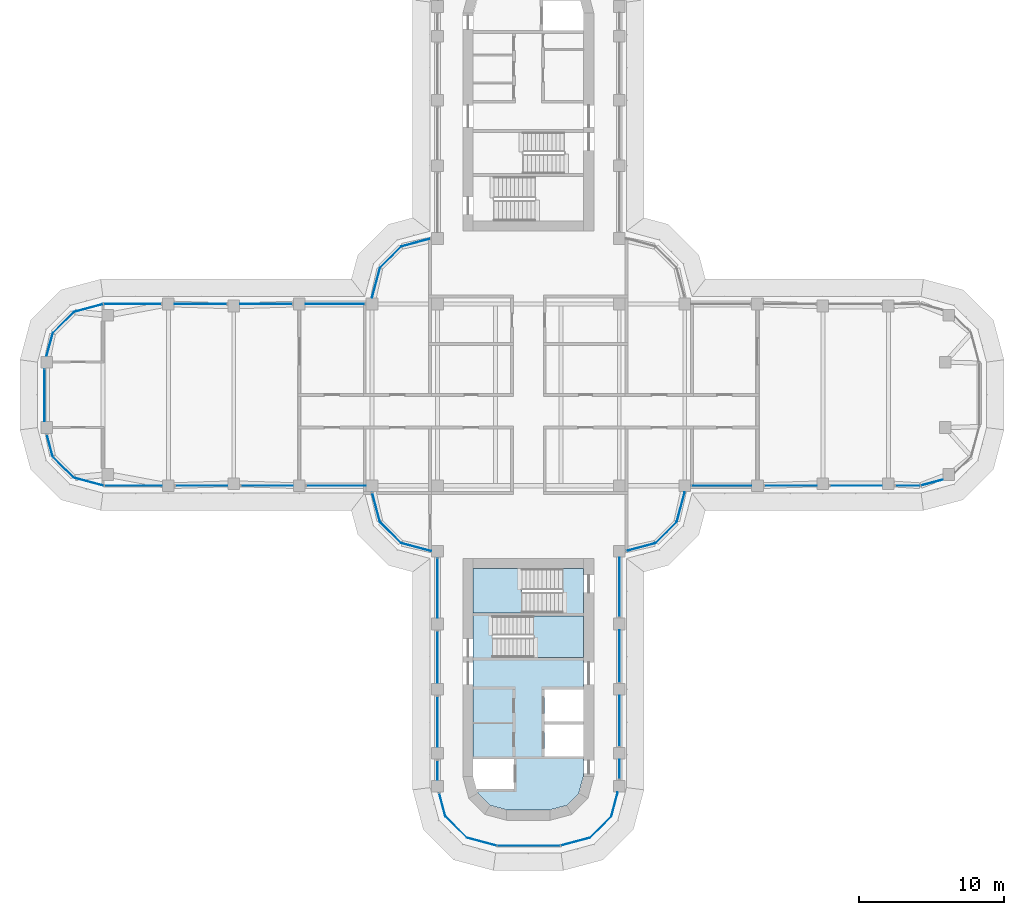
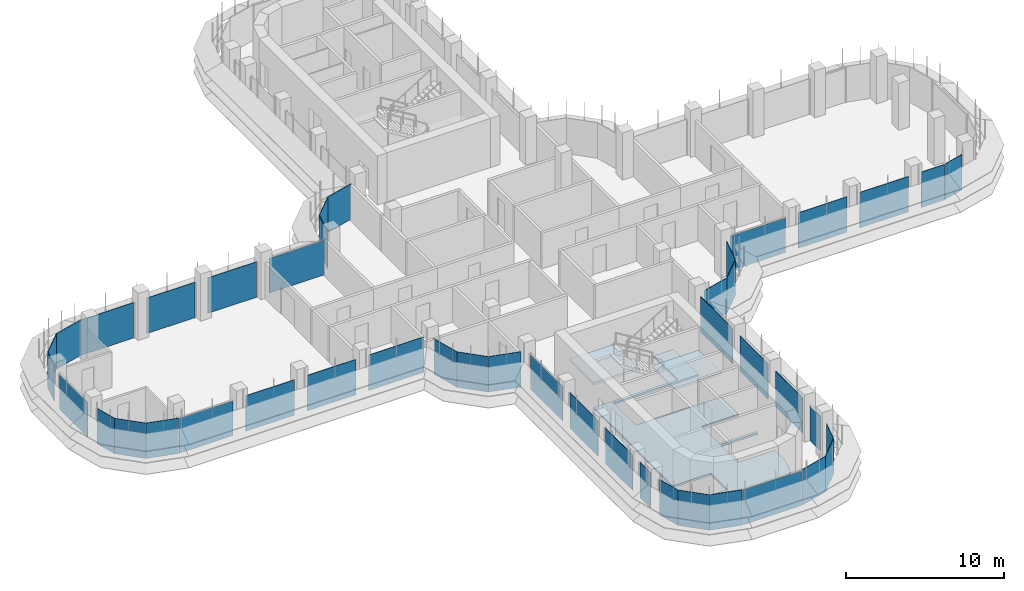
# One storey, part 11 of 20: 44 plates, 3 slabs, 31 elements without a shape of their own.
"""IFC4 building model written with IfcOpenShell, lengths in metres."""

from ifc_helpers import new_model, si_unit, direction, frame, origin, place, context, subcontext, project, spatial, polyline, outline, extrude, source, transform, mapped, material, layer, layer_set, type_object, element, aggregate, save


model = new_model("IFC4")

# Units and contexts
model_context = context("Model", 3, precision=1e-05, world=origin(), true_north=direction((0.0, 1.0)))
body_context = subcontext(model_context, "Body", "Model", "MODEL_VIEW")
ifc_project = project(units=[si_unit("LENGTHUNIT", "METRE"), si_unit("AREAUNIT", "SQUARE_METRE"), si_unit("VOLUMEUNIT", "CUBIC_METRE"), si_unit("PLANEANGLEUNIT", "RADIAN"), si_unit("MASSUNIT", "GRAM", prefix="KILO")], contexts=[model_context])

# Site, building, storey
site_placement = place(None, origin())
site = spatial("IfcSite", under=ifc_project, at=site_placement, CompositionType="ELEMENT")
building_placement = place(site_placement, origin())
building = spatial("IfcBuilding", under=site, at=building_placement, Name="Zarbagh Exchange Tower", CompositionType="ELEMENT")
storey_placement = place(building_placement, frame((0.0, 0.0, 163.800048828125)))
storey = spatial("IfcBuildingStorey", under=building, at=storey_placement, Name="L39", CompositionType="ELEMENT", Elevation=163.800048828125)

# Slab
ifc_material_1 = material(Name="Concrete C40/50", Category="concrete")
ifc_layer_1 = layer(ifc_material_1, 0.14990234375)
ifc_layer_set_1 = layer_set([ifc_layer_1], Name="Core floor slab 150 C40/50")
slab_type_1 = type_object("IfcSlabType", Name="Core floor slab 150 C40/50", PredefinedType="FLOOR", material=ifc_layer_set_1)
slab_1_placement = place(storey_placement, frame((0.0, 0.0, -0.150146484375)))
element("IfcSlab", 1, at=slab_1_placement, inside=storey, type_object=slab_type_1, Name="S17 core S", PredefinedType="FLOOR", context=body_context, shape_type="SweptSolid", body=[
    extrude(outline(polyline([(-2.6376953125, -28.220458984375), (-3.470458984375, -27.3876953125), (-3.800048828125, -26.15771484375), (-3.800048828125, -26.15771484375), (-3.547607421875, -27.10009765625), (-1.0, -27.10009765625), (-1.0, -25.050048828125), (-3.800048828125, -25.050048828125), (-3.800048828125, -15.0), (2.35009765625, -15.0), (2.35009765625, -11.949951171875), (3.800048828125, -11.949951171875), (3.800048828125, -15.199951171875), (-2.449951171875, -15.199951171875), (-2.449951171875, -18.050048828125), (3.800048828125, -18.050048828125), (3.800048828125, -20.25), (1.10009765625, -20.25), (1.10009765625, -22.449951171875), (3.800048828125, -22.449951171875), (3.800048828125, -22.64990234375), (1.10009765625, -22.64990234375), (1.10009765625, -24.85009765625), (3.800048828125, -24.85009765625), (3.800048828125, -26.15771484375), (3.470458984375, -27.3876953125), (2.6376953125, -28.220458984375), (1.40771484375, -28.550048828125), (-1.40771484375, -28.550048828125), (-2.6376953125, -28.220458984375)])), origin(), (0.0, 0.0, 1.0), 0.150146484375),
])

# Stair, slab
stair_type = type_object("IfcStairType", Name="Exit stair two-flight half-turn", PredefinedType="HALF_TURN_STAIR", material=ifc_material_1)
stair_1_placement = place(storey_placement, origin())
stair_1 = element("IfcStair", 2, at=stair_1_placement, inside=storey, type_object=stair_type, Name="exit stair ST3", PredefinedType="HALF_TURN_STAIR")
ifc_layer_2 = layer(ifc_material_1, 0.199951171875)
ifc_layer_set_2 = layer_set([ifc_layer_2], Name="Stair landing 200 mm")
slab_type_2 = type_object("IfcSlabType", Name="Stair landing 200 mm", PredefinedType="LANDING", material=ifc_layer_set_2)
slab_2_placement = place(storey_placement, frame((0.0, 0.0, 1.699951171875)))
slab_2 = element("IfcSlab", 3, at=slab_2_placement, type_object=slab_type_2, Name="ST3 landing 1", PredefinedType="LANDING", context=body_context, shape_type="SweptSolid", body=[
    extrude(outline(polyline([(0.35009765625, -18.050048828125), (3.800048828125, -18.050048828125), (3.800048828125, -15.199951171875), (0.35009765625, -15.199951171875), (0.35009765625, -18.050048828125)])), origin(), (0.0, 0.0, 1.0), 0.199951171875),
])
aggregate(stair_1, [slab_2])

stair_2_placement = place(storey_placement, origin())
stair_2 = element("IfcStair", 4, at=stair_2_placement, inside=storey, type_object=stair_type, Name="exit stair ST4", PredefinedType="HALF_TURN_STAIR")
slab_3_placement = place(storey_placement, frame((0.0, 0.0, 1.699951171875)))
slab_3 = element("IfcSlab", 5, at=slab_3_placement, type_object=slab_type_2, Name="ST4 landing 1", PredefinedType="LANDING", context=body_context, shape_type="SweptSolid", body=[
    extrude(outline(polyline([(-0.449951171875, -11.949951171875), (-3.800048828125, -11.949951171875), (-3.800048828125, -15.0), (-0.449951171875, -15.0), (-0.449951171875, -11.949951171875)])), origin(), (0.0, 0.0, 1.0), 0.199951171875),
])
aggregate(stair_2, [slab_3])

# Curtain wall, plate
ifc_material_2 = material(Name="Anodised aluminium frame and glazing", Category="aluminium")
curtain_wall_type = type_object("IfcCurtainWallType", Name="CWB Ribbon glazing, upper zones", PredefinedType="NOTDEFINED", material=ifc_material_2)
curtain_wall_1_placement = place(storey_placement, origin())
curtain_wall_1 = element("IfcCurtainWall", 6, at=curtain_wall_1_placement, inside=storey, type_object=curtain_wall_type, Name="CWB37 curtain wall", PredefinedType="NOTDEFINED")
ifc_material_3 = material(Name="Low-e double glazed unit, 6+12+6 mm")
ifc_layer_3 = layer(ifc_material_3, 0.031982421875)
ifc_layer_set_3 = layer_set([ifc_layer_3], Name="PAB Glazing panel, Low-e double glazed unit, 6+12+6 mm")
plate_type = type_object("IfcPlateType", Name="PAB Glazing panel, Low-e double glazed unit, 6+12+6 mm", PredefinedType="CURTAIN_PANEL", material=ifc_layer_set_3)
shared_shape_1 = source(origin(), body_context, "Body", "SweptSolid", [
    extrude(outline(polyline([(0.0, -0.01611328125), (1.5458984375, -0.01611328125), (1.5458984375, 0.01611328125), (0.0, 0.01611328125), (0.0, -0.01611328125)])), origin(), (0.0, 0.0, 1.0), 2.75),
])
placement = place(storey_placement, origin())
plate_1 = element("IfcPlate", 7, at=placement, type_object=plate_type, Name="CWB37 glazing panel 1.1", PredefinedType="CURTAIN_PANEL", context=body_context, shape_type="MappedRepresentation", body=[
    mapped(shared_shape_1, transform((-33.098876953125, -2.748046875, 0.0), x_axis=(0.258824779902, -0.965924289636, 0.0), y_axis=(0.965924289636, 0.258824779902, 0.0), z_axis=(0.0, 0.0, 1.0))),
])
aggregate(curtain_wall_1, [plate_1])

curtain_wall_2_placement = place(storey_placement, origin())
curtain_wall_2 = element("IfcCurtainWall", 8, at=curtain_wall_2_placement, inside=storey, type_object=curtain_wall_type, Name="CWB50 curtain wall", PredefinedType="NOTDEFINED")
shared_shape_2 = source(origin(), body_context, "Body", "SweptSolid", [
    extrude(outline(polyline([(0.0, -0.01611328125), (2.061279296875, -0.01611328125), (2.061279296875, 0.01611328125), (0.0, 0.01611328125), (0.0, -0.01611328125)])), origin(), (0.0, 0.0, 1.0), 2.75),
])
plate_2 = element("IfcPlate", 9, at=placement, type_object=plate_type, Name="CWB50 glazing panel 1.1", PredefinedType="CURTAIN_PANEL", context=body_context, shape_type="MappedRepresentation", body=[
    mapped(shared_shape_2, transform((4.2412109375, -30.44873046875, 0.0), x_axis=(0.707106781187, 0.707106781187, 0.0), y_axis=(-0.707106781187, 0.707106781187, 0.0), z_axis=(0.0, 0.0, 1.0))),
])
aggregate(curtain_wall_2, [plate_2])

curtain_wall_3_placement = place(storey_placement, origin())
curtain_wall_3 = element("IfcCurtainWall", 10, at=curtain_wall_3_placement, inside=storey, type_object=curtain_wall_type, Name="CWB06 curtain wall", PredefinedType="NOTDEFINED")
plate_3 = element("IfcPlate", 11, at=placement, type_object=plate_type, Name="CWB06 glazing panel 1.1", PredefinedType="CURTAIN_PANEL", context=body_context, shape_type="MappedRepresentation", body=[
    mapped(shared_shape_2, transform((8.7412109375, -10.19873046875, 0.0), x_axis=(0.707106781187, 0.707106781187, 0.0), y_axis=(-0.707106781187, 0.707106781187, 0.0), z_axis=(0.0, 0.0, 1.0))),
])
aggregate(curtain_wall_3, [plate_3])

curtain_wall_4_placement = place(storey_placement, origin())
curtain_wall_4 = element("IfcCurtainWall", 12, at=curtain_wall_4_placement, inside=storey, type_object=curtain_wall_type, Name="CWB30 curtain wall", PredefinedType="NOTDEFINED")
plate_4 = element("IfcPlate", 13, at=placement, type_object=plate_type, Name="CWB30 glazing panel 1.1", PredefinedType="CURTAIN_PANEL", context=body_context, shape_type="MappedRepresentation", body=[
    mapped(shared_shape_2, transform((-8.7412109375, 10.19873046875, 0.0), x_axis=(-0.707106781187, -0.707106781187, 0.0), y_axis=(0.707106781187, -0.707106781187, 0.0), z_axis=(0.0, 0.0, 1.0))),
])
aggregate(curtain_wall_4, [plate_4])

curtain_wall_5_placement = place(storey_placement, origin())
curtain_wall_5 = element("IfcCurtainWall", 14, at=curtain_wall_5_placement, inside=storey, type_object=curtain_wall_type, Name="CWB34 curtain wall", PredefinedType="NOTDEFINED")
plate_5 = element("IfcPlate", 15, at=placement, type_object=plate_type, Name="CWB34 glazing panel 1.1", PredefinedType="CURTAIN_PANEL", context=body_context, shape_type="MappedRepresentation", body=[
    mapped(shared_shape_2, transform((-31.2412109375, 5.69873046875, 0.0), x_axis=(-0.707106781187, -0.707106781187, 0.0), y_axis=(0.707106781187, -0.707106781187, 0.0), z_axis=(0.0, 0.0, 1.0))),
])
aggregate(curtain_wall_5, [plate_5])

curtain_wall_6_placement = place(storey_placement, origin())
curtain_wall_6 = element("IfcCurtainWall", 16, at=curtain_wall_6_placement, inside=storey, type_object=curtain_wall_type, Name="CWB38 curtain wall", PredefinedType="NOTDEFINED")
plate_6 = element("IfcPlate", 17, at=placement, type_object=plate_type, Name="CWB38 glazing panel 1.1", PredefinedType="CURTAIN_PANEL", context=body_context, shape_type="MappedRepresentation", body=[
    mapped(shared_shape_2, transform((-32.69873046875, -4.2412109375, 0.0), x_axis=(0.707106781187, -0.707106781187, 0.0), y_axis=(0.707106781187, 0.707106781187, 0.0), z_axis=(0.0, 0.0, 1.0))),
])
aggregate(curtain_wall_6, [plate_6])

curtain_wall_7_placement = place(storey_placement, origin())
curtain_wall_7 = element("IfcCurtainWall", 18, at=curtain_wall_7_placement, inside=storey, type_object=curtain_wall_type, Name="CWB42 curtain wall", PredefinedType="NOTDEFINED")
plate_7 = element("IfcPlate", 19, at=placement, type_object=plate_type, Name="CWB42 glazing panel 1.1", PredefinedType="CURTAIN_PANEL", context=body_context, shape_type="MappedRepresentation", body=[
    mapped(shared_shape_2, transform((-10.19873046875, -8.7412109375, 0.0), x_axis=(0.707106781187, -0.707106781187, 0.0), y_axis=(0.707106781187, 0.707106781187, 0.0), z_axis=(0.0, 0.0, 1.0))),
])
aggregate(curtain_wall_7, [plate_7])

curtain_wall_8_placement = place(storey_placement, origin())
curtain_wall_8 = element("IfcCurtainWall", 20, at=curtain_wall_8_placement, inside=storey, type_object=curtain_wall_type, Name="CWB55 curtain wall", PredefinedType="NOTDEFINED")
plate_8 = element("IfcPlate", 21, at=placement, type_object=plate_type, Name="CWB55 glazing panel 1.1", PredefinedType="CURTAIN_PANEL", context=body_context, shape_type="MappedRepresentation", body=[
    mapped(shared_shape_2, transform((-5.69873046875, -28.9912109375, 0.0), x_axis=(0.707106781187, -0.707106781187, 0.0), y_axis=(0.707106781187, 0.707106781187, 0.0), z_axis=(0.0, 0.0, 1.0))),
])
aggregate(curtain_wall_8, [plate_8])

curtain_wall_9_placement = place(storey_placement, origin())
curtain_wall_9 = element("IfcCurtainWall", 22, at=curtain_wall_9_placement, inside=storey, type_object=curtain_wall_type, Name="CWB39 curtain wall", PredefinedType="NOTDEFINED")
shared_shape_3 = source(origin(), body_context, "Body", "SweptSolid", [
    extrude(outline(polyline([(0.0, -0.01611328125), (2.129638671875, -0.01611328125), (2.129638671875, 0.01611328125), (0.0, 0.01611328125), (0.0, -0.01611328125)])), origin(), (0.0, 0.0, 1.0), 2.75),
])
plate_9 = element("IfcPlate", 23, at=placement, type_object=plate_type, Name="CWB39 glazing panel 1.1", PredefinedType="CURTAIN_PANEL", context=body_context, shape_type="MappedRepresentation", body=[
    mapped(shared_shape_3, transform((-31.2412109375, -5.69873046875, 0.0), x_axis=(0.965924289636, -0.258824779902, 0.0), y_axis=(0.258824779902, 0.965924289636, 0.0), z_axis=(0.0, 0.0, 1.0))),
])
aggregate(curtain_wall_9, [plate_9])

curtain_wall_10_placement = place(storey_placement, origin())
curtain_wall_10 = element("IfcCurtainWall", 24, at=curtain_wall_10_placement, inside=storey, type_object=curtain_wall_type, Name="CWB56 curtain wall", PredefinedType="NOTDEFINED")
plate_10 = element("IfcPlate", 25, at=placement, type_object=plate_type, Name="CWB56 glazing panel 1.1", PredefinedType="CURTAIN_PANEL", context=body_context, shape_type="MappedRepresentation", body=[
    mapped(shared_shape_3, transform((-4.2412109375, -30.44873046875, 0.0), x_axis=(0.965924289636, -0.258824779902, 0.0), y_axis=(0.258824779902, 0.965924289636, 0.0), z_axis=(0.0, 0.0, 1.0))),
])
aggregate(curtain_wall_10, [plate_10])

curtain_wall_11_placement = place(storey_placement, origin())
curtain_wall_11 = element("IfcCurtainWall", 26, at=curtain_wall_11_placement, inside=storey, type_object=curtain_wall_type, Name="CWB53 curtain wall", PredefinedType="NOTDEFINED")
shared_shape_4 = source(origin(), body_context, "Body", "SweptSolid", [
    extrude(outline(polyline([(0.0, -0.01611328125), (1.31005859375, -0.01611328125), (1.31005859375, 0.01611328125), (0.0, 0.01611328125), (0.0, -0.01611328125)])), origin(), (0.0, 0.0, 1.0), 2.75),
])
plate_11 = element("IfcPlate", 27, at=placement, type_object=plate_type, Name="CWB53 glazing panel 4.1", PredefinedType="CURTAIN_PANEL", context=body_context, shape_type="MappedRepresentation", body=[
    mapped(shared_shape_4, transform((-6.25, -25.150146484375, 0.0), x_axis=(0.0, -1.0, 0.0), y_axis=(1.0, 0.0, 0.0), z_axis=(0.0, 0.0, 1.0))),
])

curtain_wall_12_placement = place(storey_placement, origin())
curtain_wall_12 = element("IfcCurtainWall", 28, at=curtain_wall_12_placement, inside=storey, type_object=curtain_wall_type, Name="CWB52 curtain wall", PredefinedType="NOTDEFINED")
shared_shape_5 = source(origin(), body_context, "Body", "SweptSolid", [
    extrude(outline(polyline([(0.0, -0.01611328125), (3.4599609375, -0.01611328125), (3.4599609375, 0.01611328125), (0.0, 0.01611328125), (0.0, -0.01611328125)])), origin(), (0.0, 0.0, 1.0), 2.75),
])
plate_12 = element("IfcPlate", 29, at=placement, type_object=plate_type, Name="CWB52 glazing panel 2.1", PredefinedType="CURTAIN_PANEL", context=body_context, shape_type="MappedRepresentation", body=[
    mapped(shared_shape_5, transform((6.25, -24.14990234375, 0.0), x_axis=(0.0, 1.0, 0.0), y_axis=(-1.0, 0.0, 0.0), z_axis=(0.0, 0.0, 1.0))),
])

# Plate
plate_13 = element("IfcPlate", 30, at=placement, type_object=plate_type, Name="CWB53 glazing panel 3.1", PredefinedType="CURTAIN_PANEL", context=body_context, shape_type="MappedRepresentation", body=[
    mapped(shared_shape_5, transform((-6.25, -20.75, 0.0), x_axis=(0.0, -1.0, 0.0), y_axis=(1.0, 0.0, 0.0), z_axis=(0.0, 0.0, 1.0))),
])

shared_shape_6 = source(origin(), body_context, "Body", "SweptSolid", [
    extrude(outline(polyline([(0.0, -0.01611328125), (3.56005859375, -0.01611328125), (3.56005859375, 0.01611328125), (0.0, 0.01611328125), (0.0, -0.01611328125)])), origin(), (0.0, 0.0, 1.0), 2.75),
])
plate_14 = element("IfcPlate", 31, at=placement, type_object=plate_type, Name="CWB52 glazing panel 3.1", PredefinedType="CURTAIN_PANEL", context=body_context, shape_type="MappedRepresentation", body=[
    mapped(shared_shape_6, transform((6.25, -19.75, 0.0), x_axis=(0.0, 1.0, 0.0), y_axis=(-1.0, 0.0, 0.0), z_axis=(0.0, 0.0, 1.0))),
])

# Curtain wall, plates
curtain_wall_13_placement = place(storey_placement, origin())
curtain_wall_13 = element("IfcCurtainWall", 32, at=curtain_wall_13_placement, inside=storey, type_object=curtain_wall_type, Name="CWB08 curtain wall", PredefinedType="NOTDEFINED")
plate_15 = element("IfcPlate", 33, at=placement, type_object=plate_type, Name="CWB08 glazing panel 2.1", PredefinedType="CURTAIN_PANEL", context=body_context, shape_type="MappedRepresentation", body=[
    mapped(shared_shape_6, transform((16.25, -6.25, 0.0), x_axis=(1.0, 0.0, 0.0), y_axis=(0.0, 1.0, 0.0), z_axis=(0.0, 0.0, 1.0))),
])
plate_16 = element("IfcPlate", 34, at=placement, type_object=plate_type, Name="CWB08 glazing panel 3.1", PredefinedType="CURTAIN_PANEL", context=body_context, shape_type="MappedRepresentation", body=[
    mapped(shared_shape_6, transform((20.75, -6.25, 0.0), x_axis=(1.0, 0.0, 0.0), y_axis=(0.0, 1.0, 0.0), z_axis=(0.0, 0.0, 1.0))),
])

curtain_wall_14_placement = place(storey_placement, origin())
curtain_wall_14 = element("IfcCurtainWall", 35, at=curtain_wall_14_placement, inside=storey, type_object=curtain_wall_type, Name="CWB32 curtain wall", PredefinedType="NOTDEFINED")
plate_17 = element("IfcPlate", 36, at=placement, type_object=plate_type, Name="CWB32 glazing panel 2.1", PredefinedType="CURTAIN_PANEL", context=body_context, shape_type="MappedRepresentation", body=[
    mapped(shared_shape_6, transform((-16.25, 6.25, 0.0), x_axis=(-1.0, 0.0, 0.0), y_axis=(0.0, -1.0, 0.0), z_axis=(0.0, 0.0, 1.0))),
])
plate_18 = element("IfcPlate", 37, at=placement, type_object=plate_type, Name="CWB32 glazing panel 3.1", PredefinedType="CURTAIN_PANEL", context=body_context, shape_type="MappedRepresentation", body=[
    mapped(shared_shape_6, transform((-20.75, 6.25, 0.0), x_axis=(-1.0, 0.0, 0.0), y_axis=(0.0, -1.0, 0.0), z_axis=(0.0, 0.0, 1.0))),
])

curtain_wall_15_placement = place(storey_placement, origin())
curtain_wall_15 = element("IfcCurtainWall", 38, at=curtain_wall_15_placement, inside=storey, type_object=curtain_wall_type, Name="CWB40 curtain wall", PredefinedType="NOTDEFINED")
plate_19 = element("IfcPlate", 39, at=placement, type_object=plate_type, Name="CWB40 glazing panel 2.1", PredefinedType="CURTAIN_PANEL", context=body_context, shape_type="MappedRepresentation", body=[
    mapped(shared_shape_6, transform((-24.25, -6.25, 0.0), x_axis=(1.0, 0.0, 0.0), y_axis=(0.0, 1.0, 0.0), z_axis=(0.0, 0.0, 1.0))),
])
plate_20 = element("IfcPlate", 40, at=placement, type_object=plate_type, Name="CWB40 glazing panel 3.1", PredefinedType="CURTAIN_PANEL", context=body_context, shape_type="MappedRepresentation", body=[
    mapped(shared_shape_6, transform((-19.75, -6.25, 0.0), x_axis=(1.0, 0.0, 0.0), y_axis=(0.0, 1.0, 0.0), z_axis=(0.0, 0.0, 1.0))),
])

# Plate
plate_21 = element("IfcPlate", 41, at=placement, type_object=plate_type, Name="CWB53 glazing panel 2.1", PredefinedType="CURTAIN_PANEL", context=body_context, shape_type="MappedRepresentation", body=[
    mapped(shared_shape_6, transform((-6.25, -16.25, 0.0), x_axis=(0.0, -1.0, 0.0), y_axis=(1.0, 0.0, 0.0), z_axis=(0.0, 0.0, 1.0))),
])

shared_shape_7 = source(origin(), body_context, "Body", "SweptSolid", [
    extrude(outline(polyline([(0.0, -0.01611328125), (4.06005859375, -0.01611328125), (4.06005859375, 0.01611328125), (0.0, 0.01611328125), (0.0, -0.01611328125)])), origin(), (0.0, 0.0, 1.0), 2.75),
])
plate_22 = element("IfcPlate", 42, at=placement, type_object=plate_type, Name="CWB52 glazing panel 4.1", PredefinedType="CURTAIN_PANEL", context=body_context, shape_type="MappedRepresentation", body=[
    mapped(shared_shape_7, transform((6.25, -15.25, 0.0), x_axis=(0.0, 1.0, 0.0), y_axis=(-1.0, 0.0, 0.0), z_axis=(0.0, 0.0, 1.0))),
])

plate_23 = element("IfcPlate", 43, at=placement, type_object=plate_type, Name="CWB40 glazing panel 4.1", PredefinedType="CURTAIN_PANEL", context=body_context, shape_type="MappedRepresentation", body=[
    mapped(shared_shape_7, transform((-15.25, -6.25, 0.0), x_axis=(1.0, 0.0, 0.0), y_axis=(0.0, 1.0, 0.0), z_axis=(0.0, 0.0, 1.0))),
])

# Curtain wall, plate
curtain_wall_16_placement = place(storey_placement, origin())
curtain_wall_16 = element("IfcCurtainWall", 44, at=curtain_wall_16_placement, inside=storey, type_object=curtain_wall_type, Name="CWB05 curtain wall", PredefinedType="NOTDEFINED")
shared_shape_8 = source(origin(), body_context, "Body", "SweptSolid", [
    extrude(outline(polyline([(0.0, -0.01611328125), (2.063720703125, -0.01611328125), (2.063720703125, 0.01611328125), (0.0, 0.01611328125), (0.0, -0.01611328125)])), origin(), (0.0, 0.0, 1.0), 2.75),
])
plate_24 = element("IfcPlate", 45, at=placement, type_object=plate_type, Name="CWB05 glazing panel 1.1", PredefinedType="CURTAIN_PANEL", context=body_context, shape_type="MappedRepresentation", body=[
    mapped(shared_shape_8, transform((6.748046875, -10.73291015625, 0.0), x_axis=(0.965924289636, 0.258824779902, 0.0), y_axis=(-0.258824779902, 0.965924289636, 0.0), z_axis=(0.0, 0.0, 1.0))),
])
aggregate(curtain_wall_16, [plate_24])

curtain_wall_17_placement = place(storey_placement, origin())
curtain_wall_17 = element("IfcCurtainWall", 46, at=curtain_wall_17_placement, inside=storey, type_object=curtain_wall_type, Name="CWB29 curtain wall", PredefinedType="NOTDEFINED")
plate_25 = element("IfcPlate", 47, at=placement, type_object=plate_type, Name="CWB29 glazing panel 1.1", PredefinedType="CURTAIN_PANEL", context=body_context, shape_type="MappedRepresentation", body=[
    mapped(shared_shape_8, transform((-6.748046875, 10.73291015625, 0.0), x_axis=(-0.965924289636, -0.258824779902, 0.0), y_axis=(0.258824779902, -0.965924289636, 0.0), z_axis=(0.0, 0.0, 1.0))),
])
aggregate(curtain_wall_17, [plate_25])

curtain_wall_18_placement = place(storey_placement, origin())
curtain_wall_18 = element("IfcCurtainWall", 48, at=curtain_wall_18_placement, inside=storey, type_object=curtain_wall_type, Name="CWB41 curtain wall", PredefinedType="NOTDEFINED")
plate_26 = element("IfcPlate", 49, at=placement, type_object=plate_type, Name="CWB41 glazing panel 1.1", PredefinedType="CURTAIN_PANEL", context=body_context, shape_type="MappedRepresentation", body=[
    mapped(shared_shape_8, transform((-10.73291015625, -6.748046875, 0.0), x_axis=(0.258824779902, -0.965924289636, 0.0), y_axis=(0.965924289636, 0.258824779902, 0.0), z_axis=(0.0, 0.0, 1.0))),
])
aggregate(curtain_wall_18, [plate_26])

curtain_wall_19_placement = place(storey_placement, origin())
curtain_wall_19 = element("IfcCurtainWall", 50, at=curtain_wall_19_placement, inside=storey, type_object=curtain_wall_type, Name="CWB07 curtain wall", PredefinedType="NOTDEFINED")
shared_shape_9 = source(origin(), body_context, "Body", "SweptSolid", [
    extrude(outline(polyline([(0.0, -0.01611328125), (2.12353515625, -0.01611328125), (2.12353515625, 0.01611328125), (0.0, 0.01611328125), (0.0, -0.01611328125)])), origin(), (0.0, 0.0, 1.0), 2.75),
])
plate_27 = element("IfcPlate", 51, at=placement, type_object=plate_type, Name="CWB07 glazing panel 1.1", PredefinedType="CURTAIN_PANEL", context=body_context, shape_type="MappedRepresentation", body=[
    mapped(shared_shape_9, transform((10.19873046875, -8.7412109375, 0.0), x_axis=(0.258824779902, 0.965924289636, 0.0), y_axis=(-0.965924289636, 0.258824779902, 0.0), z_axis=(0.0, 0.0, 1.0))),
])
aggregate(curtain_wall_19, [plate_27])

curtain_wall_20_placement = place(storey_placement, origin())
curtain_wall_20 = element("IfcCurtainWall", 52, at=curtain_wall_20_placement, inside=storey, type_object=curtain_wall_type, Name="CWB31 curtain wall", PredefinedType="NOTDEFINED")
plate_28 = element("IfcPlate", 53, at=placement, type_object=plate_type, Name="CWB31 glazing panel 1.1", PredefinedType="CURTAIN_PANEL", context=body_context, shape_type="MappedRepresentation", body=[
    mapped(shared_shape_9, transform((-10.19873046875, 8.7412109375, 0.0), x_axis=(-0.258824779902, -0.965924289636, 0.0), y_axis=(0.965924289636, -0.258824779902, 0.0), z_axis=(0.0, 0.0, 1.0))),
])
aggregate(curtain_wall_20, [plate_28])

curtain_wall_21_placement = place(storey_placement, origin())
curtain_wall_21 = element("IfcCurtainWall", 54, at=curtain_wall_21_placement, inside=storey, type_object=curtain_wall_type, Name="CWB43 curtain wall", PredefinedType="NOTDEFINED")
plate_29 = element("IfcPlate", 55, at=placement, type_object=plate_type, Name="CWB43 glazing panel 1.1", PredefinedType="CURTAIN_PANEL", context=body_context, shape_type="MappedRepresentation", body=[
    mapped(shared_shape_9, transform((-8.7412109375, -10.19873046875, 0.0), x_axis=(0.965924289636, -0.258824779902, 0.0), y_axis=(0.258824779902, 0.965924289636, 0.0), z_axis=(0.0, 0.0, 1.0))),
])
aggregate(curtain_wall_21, [plate_29])

# Plate
shared_shape_10 = source(origin(), body_context, "Body", "SweptSolid", [
    extrude(outline(polyline([(0.0, -0.01611328125), (4.06005859375, -0.01611328125), (4.06005859375, 0.01611328125), (0.0, 0.01611328125), (0.0, -0.01611328125)])), origin(), (0.0, 0.0, 1.0), 2.68994140625),
])
plate_30 = element("IfcPlate", 56, at=placement, type_object=plate_type, Name="CWB08 glazing panel 1.1", PredefinedType="CURTAIN_PANEL", context=body_context, shape_type="MappedRepresentation", body=[
    mapped(shared_shape_10, transform((11.25, -6.25, 0.0), x_axis=(1.0, 0.0, 0.0), y_axis=(0.0, 1.0, 0.0), z_axis=(0.0, 0.0, 1.0))),
])

plate_31 = element("IfcPlate", 57, at=placement, type_object=plate_type, Name="CWB32 glazing panel 1.1", PredefinedType="CURTAIN_PANEL", context=body_context, shape_type="MappedRepresentation", body=[
    mapped(shared_shape_10, transform((-11.25, 6.25, 0.0), x_axis=(-1.0, 0.0, 0.0), y_axis=(0.0, -1.0, 0.0), z_axis=(0.0, 0.0, 1.0))),
])

plate_32 = element("IfcPlate", 58, at=placement, type_object=plate_type, Name="CWB53 glazing panel 1.1", PredefinedType="CURTAIN_PANEL", context=body_context, shape_type="MappedRepresentation", body=[
    mapped(shared_shape_10, transform((-6.25, -11.25, 0.0), x_axis=(0.0, -1.0, 0.0), y_axis=(1.0, 0.0, 0.0), z_axis=(0.0, 0.0, 1.0))),
])

aggregate(curtain_wall_11, [plate_32, plate_21, plate_13, plate_11])

shared_shape_11 = source(origin(), body_context, "Body", "SweptSolid", [
    extrude(outline(polyline([(0.0, -0.01611328125), (1.68408203125, -0.01611328125), (1.68408203125, 0.01611328125), (0.0, 0.01611328125), (0.0, -0.01611328125)])), origin(), (0.0, 0.0, 1.0), 2.75),
])
plate_33 = element("IfcPlate", 59, at=placement, type_object=plate_type, Name="CWB08 glazing panel 4.1", PredefinedType="CURTAIN_PANEL", context=body_context, shape_type="MappedRepresentation", body=[
    mapped(shared_shape_11, transform((25.25, -6.25, 0.0), x_axis=(1.0, 0.0, 0.0), y_axis=(0.0, 1.0, 0.0), z_axis=(0.0, 0.0, 1.0))),
])

aggregate(curtain_wall_13, [plate_30, plate_15, plate_16, plate_33])

# Curtain wall, plate
curtain_wall_22_placement = place(storey_placement, origin())
curtain_wall_22 = element("IfcCurtainWall", 60, at=curtain_wall_22_placement, inside=storey, type_object=curtain_wall_type, Name="CWB09 curtain wall", PredefinedType="NOTDEFINED")
shared_shape_12 = source(origin(), body_context, "Body", "SweptSolid", [
    extrude(outline(polyline([(0.0, -0.01611328125), (1.52783203125, -0.01611328125), (1.52783203125, 0.01611328125), (0.0, 0.01611328125), (0.0, -0.01611328125)])), origin(), (0.0, 0.0, 1.0), 2.75),
])
plate_34 = element("IfcPlate", 61, at=placement, type_object=plate_type, Name="CWB09 glazing panel 1.1", PredefinedType="CURTAIN_PANEL", context=body_context, shape_type="MappedRepresentation", body=[
    mapped(shared_shape_12, transform((26.9921875, -6.234375, 0.0), x_axis=(0.965924289636, 0.258824779902, 0.0), y_axis=(-0.258824779902, 0.965924289636, 0.0), z_axis=(0.0, 0.0, 1.0))),
])
aggregate(curtain_wall_22, [plate_34])

curtain_wall_23_placement = place(storey_placement, origin())
curtain_wall_23 = element("IfcCurtainWall", 62, at=curtain_wall_23_placement, inside=storey, type_object=curtain_wall_type, Name="CWB57 curtain wall", PredefinedType="NOTDEFINED")
shared_shape_13 = source(origin(), body_context, "Body", "SweptSolid", [
    extrude(outline(polyline([(0.0, -0.01611328125), (4.308349609375, -0.01611328125), (4.308349609375, 0.01611328125), (0.0, 0.01611328125), (0.0, -0.01611328125)])), origin(), (0.0, 0.0, 1.0), 2.68994140625),
])
plate_35 = element("IfcPlate", 63, at=placement, type_object=plate_type, Name="CWB57 glazing panel 1.1", PredefinedType="CURTAIN_PANEL", context=body_context, shape_type="MappedRepresentation", body=[
    mapped(shared_shape_13, transform((-2.124267578125, -31.0, 0.0), x_axis=(1.0, 0.0, 0.0), y_axis=(0.0, 1.0, 0.0), z_axis=(0.0, 0.0, 1.0))),
])
aggregate(curtain_wall_23, [plate_35])

curtain_wall_24_placement = place(storey_placement, origin())
curtain_wall_24 = element("IfcCurtainWall", 64, at=curtain_wall_24_placement, inside=storey, type_object=curtain_wall_type, Name="CWB49 curtain wall", PredefinedType="NOTDEFINED")
shared_shape_14 = source(origin(), body_context, "Body", "SweptSolid", [
    extrude(outline(polyline([(0.0, -0.01611328125), (2.069580078125, -0.01611328125), (2.069580078125, 0.01611328125), (0.0, 0.01611328125), (0.0, -0.01611328125)])), origin(), (0.0, 0.0, 1.0), 2.75),
])
plate_36 = element("IfcPlate", 65, at=placement, type_object=plate_type, Name="CWB49 glazing panel 1.1", PredefinedType="CURTAIN_PANEL", context=body_context, shape_type="MappedRepresentation", body=[
    mapped(shared_shape_14, transform((2.2421875, -30.984375, 0.0), x_axis=(0.965924289636, 0.258824779902, 0.0), y_axis=(-0.258824779902, 0.965924289636, 0.0), z_axis=(0.0, 0.0, 1.0))),
])
aggregate(curtain_wall_24, [plate_36])

curtain_wall_25_placement = place(storey_placement, origin())
curtain_wall_25 = element("IfcCurtainWall", 66, at=curtain_wall_25_placement, inside=storey, type_object=curtain_wall_type, Name="CWB33 curtain wall", PredefinedType="NOTDEFINED")
plate_37 = element("IfcPlate", 67, at=placement, type_object=plate_type, Name="CWB33 glazing panel 1.1", PredefinedType="CURTAIN_PANEL", context=body_context, shape_type="MappedRepresentation", body=[
    mapped(shared_shape_14, transform((-29.2421875, 6.234375, 0.0), x_axis=(-0.965924289636, -0.258824779902, 0.0), y_axis=(0.258824779902, -0.965924289636, 0.0), z_axis=(0.0, 0.0, 1.0))),
])
aggregate(curtain_wall_25, [plate_37])

# Plate
shared_shape_15 = source(origin(), body_context, "Body", "SweptSolid", [
    extrude(outline(polyline([(0.0, -0.01611328125), (3.93408203125, -0.01611328125), (3.93408203125, 0.01611328125), (0.0, 0.01611328125), (0.0, -0.01611328125)])), origin(), (0.0, 0.0, 1.0), 2.75),
])
plate_38 = element("IfcPlate", 68, at=placement, type_object=plate_type, Name="CWB32 glazing panel 4.1", PredefinedType="CURTAIN_PANEL", context=body_context, shape_type="MappedRepresentation", body=[
    mapped(shared_shape_15, transform((-25.25, 6.25, 0.0), x_axis=(-1.0, 0.0, 0.0), y_axis=(0.0, -1.0, 0.0), z_axis=(0.0, 0.0, 1.0))),
])

aggregate(curtain_wall_14, [plate_31, plate_17, plate_18, plate_38])

# Curtain wall, plate
curtain_wall_26_placement = place(storey_placement, origin())
curtain_wall_26 = element("IfcCurtainWall", 69, at=curtain_wall_26_placement, inside=storey, type_object=curtain_wall_type, Name="CWB35 curtain wall", PredefinedType="NOTDEFINED")
shared_shape_16 = source(origin(), body_context, "Body", "SweptSolid", [
    extrude(outline(polyline([(0.0, -0.01611328125), (1.60595703125, -0.01611328125), (1.60595703125, 0.01611328125), (0.0, 0.01611328125), (0.0, -0.01611328125)])), origin(), (0.0, 0.0, 1.0), 2.75),
])
plate_39 = element("IfcPlate", 70, at=placement, type_object=plate_type, Name="CWB35 glazing panel 1.1", PredefinedType="CURTAIN_PANEL", context=body_context, shape_type="MappedRepresentation", body=[
    mapped(shared_shape_16, transform((-32.69873046875, 4.2412109375, 0.0), x_axis=(-0.258824779902, -0.965924289636, 0.0), y_axis=(0.965924289636, -0.258824779902, 0.0), z_axis=(0.0, 0.0, 1.0))),
])
aggregate(curtain_wall_26, [plate_39])

curtain_wall_27_placement = place(storey_placement, origin())
curtain_wall_27 = element("IfcCurtainWall", 71, at=curtain_wall_27_placement, inside=storey, type_object=curtain_wall_type, Name="CWB36 curtain wall", PredefinedType="NOTDEFINED")
shared_shape_17 = source(origin(), body_context, "Body", "SweptSolid", [
    extrude(outline(polyline([(0.0, -0.01611328125), (3.56005859375, -0.01611328125), (3.56005859375, 0.01611328125), (0.0, 0.01611328125), (0.0, -0.01611328125)])), origin(), (0.0, 0.0, 1.0), 2.68994140625),
])
plate_40 = element("IfcPlate", 72, at=placement, type_object=plate_type, Name="CWB36 glazing panel 1.1", PredefinedType="CURTAIN_PANEL", context=body_context, shape_type="MappedRepresentation", body=[
    mapped(shared_shape_17, transform((-33.25, 1.75, 0.0), x_axis=(0.0, -1.0, 0.0), y_axis=(1.0, 0.0, 0.0), z_axis=(0.0, 0.0, 1.0))),
])
aggregate(curtain_wall_27, [plate_40])

# Plate
shared_shape_18 = source(origin(), body_context, "Body", "SweptSolid", [
    extrude(outline(polyline([(0.0, -0.01611328125), (3.93408203125, -0.01611328125), (3.93408203125, 0.01611328125), (0.0, 0.01611328125), (0.0, -0.01611328125)])), origin(), (0.0, 0.0, 1.0), 2.68994140625),
])
plate_41 = element("IfcPlate", 73, at=placement, type_object=plate_type, Name="CWB40 glazing panel 1.1", PredefinedType="CURTAIN_PANEL", context=body_context, shape_type="MappedRepresentation", body=[
    mapped(shared_shape_18, transform((-29.124267578125, -6.25, 0.0), x_axis=(1.0, 0.0, 0.0), y_axis=(0.0, 1.0, 0.0), z_axis=(0.0, 0.0, 1.0))),
])

aggregate(curtain_wall_15, [plate_41, plate_19, plate_20, plate_23])

# Curtain wall, plate
curtain_wall_28_placement = place(storey_placement, origin())
curtain_wall_28 = element("IfcCurtainWall", 74, at=curtain_wall_28_placement, inside=storey, type_object=curtain_wall_type, Name="CWB51 curtain wall", PredefinedType="NOTDEFINED")
shared_shape_19 = source(origin(), body_context, "Body", "SweptSolid", [
    extrude(outline(polyline([(0.0, -0.01611328125), (1.70947265625, -0.01611328125), (1.70947265625, 0.01611328125), (0.0, 0.01611328125), (0.0, -0.01611328125)])), origin(), (0.0, 0.0, 1.0), 2.75),
])
plate_42 = element("IfcPlate", 75, at=placement, type_object=plate_type, Name="CWB51 glazing panel 1.1", PredefinedType="CURTAIN_PANEL", context=body_context, shape_type="MappedRepresentation", body=[
    mapped(shared_shape_19, transform((5.69873046875, -28.9912109375, 0.0), x_axis=(0.258824779902, 0.965924289636, 0.0), y_axis=(-0.965924289636, 0.258824779902, 0.0), z_axis=(0.0, 0.0, 1.0))),
])
aggregate(curtain_wall_28, [plate_42])

# Plate
shared_shape_20 = source(origin(), body_context, "Body", "SweptSolid", [
    extrude(outline(polyline([(0.0, -0.01611328125), (1.31005859375, -0.01611328125), (1.31005859375, 0.01611328125), (0.0, 0.01611328125), (0.0, -0.01611328125)])), origin(), (0.0, 0.0, 1.0), 2.68994140625),
])
plate_43 = element("IfcPlate", 76, at=placement, type_object=plate_type, Name="CWB52 glazing panel 1.1", PredefinedType="CURTAIN_PANEL", context=body_context, shape_type="MappedRepresentation", body=[
    mapped(shared_shape_20, transform((6.25, -26.39990234375, 0.0), x_axis=(0.0, 1.0, 0.0), y_axis=(-1.0, 0.0, 0.0), z_axis=(0.0, 0.0, 1.0))),
])

aggregate(curtain_wall_12, [plate_43, plate_12, plate_14, plate_22])

# Curtain wall, plate
curtain_wall_29_placement = place(storey_placement, origin())
curtain_wall_29 = element("IfcCurtainWall", 77, at=curtain_wall_29_placement, inside=storey, type_object=curtain_wall_type, Name="CWB54 curtain wall", PredefinedType="NOTDEFINED")
shared_shape_21 = source(origin(), body_context, "Body", "SweptSolid", [
    extrude(outline(polyline([(0.0, -0.01611328125), (1.6494140625, -0.01611328125), (1.6494140625, 0.01611328125), (0.0, 0.01611328125), (0.0, -0.01611328125)])), origin(), (0.0, 0.0, 1.0), 2.75),
])
plate_44 = element("IfcPlate", 78, at=placement, type_object=plate_type, Name="CWB54 glazing panel 1.1", PredefinedType="CURTAIN_PANEL", context=body_context, shape_type="MappedRepresentation", body=[
    mapped(shared_shape_21, transform((-6.125732421875, -27.39794921875, 0.0), x_axis=(0.258824779902, -0.965924289636, 0.0), y_axis=(0.965924289636, 0.258824779902, 0.0), z_axis=(0.0, 0.0, 1.0))),
])
aggregate(curtain_wall_29, [plate_44])

save(model, "model.ifc")
